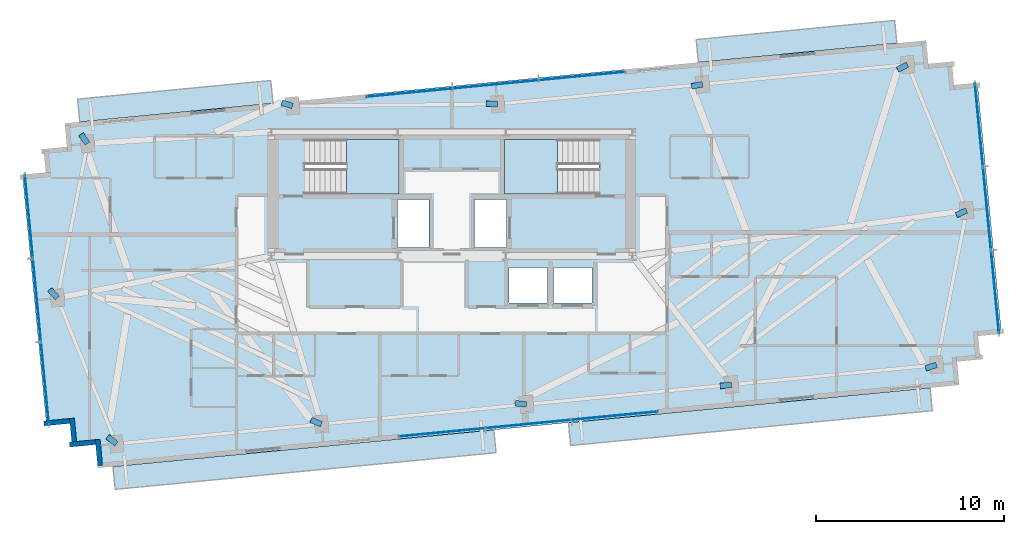
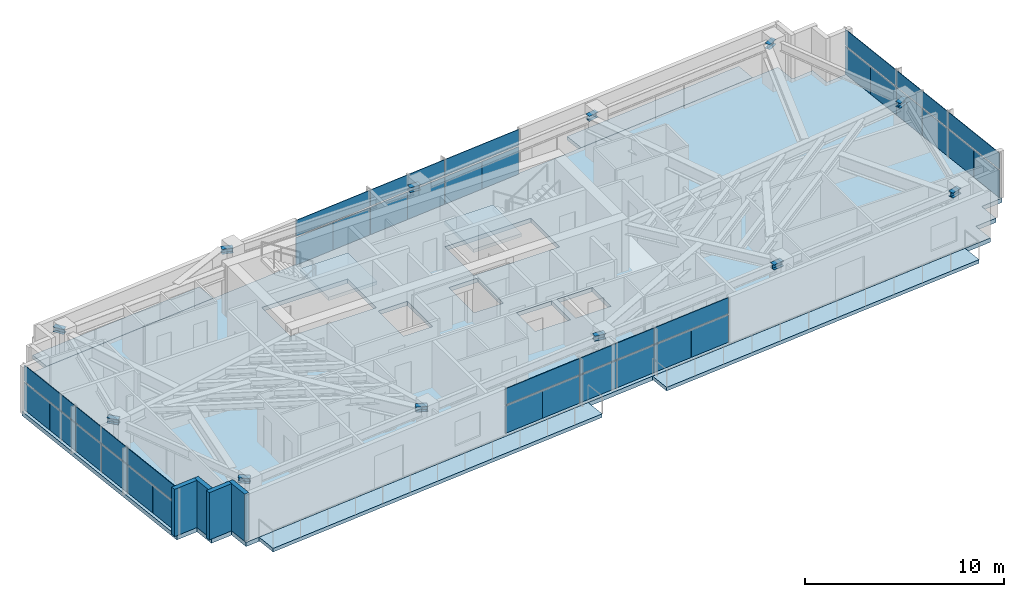
# One storey, part 12 of 18: 36 plates, 12 beams, 7 slabs, 4 walls, 6 elements without a shape of their own.
"""IFC4 building model written with IfcOpenShell, lengths in metres."""

from ifc_helpers import new_model, si_unit, direction, frame, frame_2d, origin, origin_2d, place, context, subcontext, project, spatial, polyline, rectangle, i_section, outline, extrude, source, transform, mapped, material, layer, layer_set, material_profile, profile_set, type_object, type_shapes, element, aggregate, save


model = new_model("IFC4")

# Units and contexts
model_context = context("Model", 3, precision=1e-05, world=origin(), true_north=direction((0.0, 1.0)))
body_context = subcontext(model_context, "Body", "Model", "MODEL_VIEW")
ifc_project = project(units=[si_unit("LENGTHUNIT", "METRE"), si_unit("AREAUNIT", "SQUARE_METRE"), si_unit("VOLUMEUNIT", "CUBIC_METRE"), si_unit("PLANEANGLEUNIT", "RADIAN"), si_unit("MASSUNIT", "GRAM", prefix="KILO")], contexts=[model_context])

# Site, building, storey
site_placement = place(None, origin())
site = spatial("IfcSite", under=ifc_project, at=site_placement, CompositionType="ELEMENT")
building_placement = place(site_placement, origin())
building = spatial("IfcBuilding", under=site, at=building_placement, Name="Astriad Promenade Condominiums", CompositionType="ELEMENT")
storey_placement = place(building_placement, frame((0.0, 0.0, 208.199951171875)))
storey = spatial("IfcBuildingStorey", under=building, at=storey_placement, Name="L60", CompositionType="ELEMENT", Elevation=208.199951171875)

# Beams
ifc_material_1 = material(Name="Steel ASTM A992 Grade 50", Category="steel")
ifc_material_profile = material_profile(ifc_material_1, i_section(OverallWidth=0.3046875, OverallDepth=0.307861328125, WebThickness=0.010009765625, FlangeThickness=0.015380859375, FilletRadius=0.01513671875, at=origin_2d()), Name="W12X65")
ifc_profile_set = profile_set([ifc_material_profile], Name="Steel ASTM A992 Grade 50")
beam_type = type_object("IfcBeamType", Name="STEEL TRANSFER SPLICE HEADER W12X65", PredefinedType="LINTEL", material=ifc_profile_set)
shared_shape_1 = source(origin(), body_context, "Body", "SweptSolid", [
    extrude(i_section(OverallWidth=0.3046875, OverallDepth=0.307861328125, WebThickness=0.010009765625, FlangeThickness=0.015380859375, FilletRadius=0.01513671875, at=origin_2d()), origin(), (0.0, 0.0, 1.0), 0.6015625),
])
for number, where, z_axis, x_axis, name in (
    (1, (50.868408203125, 10.56640625, 2.74609375), (-0.991744605978, -0.128228844308, 0.0), (0.128228844308, -0.991744605978, 0.0), "Column Transfer Splice Header SPL-PC04-L60"),
    (2, (61.767822265625, 11.615966796875, 2.74609375), (-0.954710817159, -0.297535301436, 0.0), (0.297535301436, -0.954710817159, 0.0), "Column Transfer Splice Header SPL-PC05-L60"),
    (3, (16.632080078125, 23.384033203125, 2.74609375), (-0.570707648261, 0.821153323209, 0.0), (-0.821153323209, -0.570707648261, 0.0), "Column Transfer Splice Header SPL-PC06-L60"),
    (4, (27.53173828125, 25.3798828125, 2.74609375), (-0.955091867929, 0.296309844279, 0.0), (-0.296309844279, -0.955091867929, 0.0), "Column Transfer Splice Header SPL-PC07-L60"),
    (5, (38.431396484375, 25.483154296875, 2.74609375), (-0.999142891868, 0.041394222165, 0.0), (-0.041394222165, -0.999142891868, 0.0), "Column Transfer Splice Header SPL-PC08-L60"),
    (6, (49.330810546875, 26.53271484375, 2.74609375), (-0.981870120298, -0.189554917809, 0.0), (0.189554917809, -0.981870120298, 0.0), "Column Transfer Splice Header SPL-PC09-L60"),
    (7, (15.03173828125, 15.1728515625, 2.74609375), (-0.665999638853, 0.745952063505, 0.0), (-0.745952063505, -0.665999638853, 0.0), "Column Transfer Splice Header SPL-PC11-L60"),
):
    element("IfcBeam", number, at=place(storey_placement, frame(where, z_axis=z_axis, x_axis=x_axis)), inside=storey, type_object=beam_type, Name=name, PredefinedType="LINTEL", context=body_context, shape_type="MappedRepresentation", body=[
        mapped(shared_shape_1, transform((0.0, 0.0, 0.0), scale=1.0)),
    ])
shared_shape_2 = source(origin(), body_context, "Body", "SweptSolid", [
    extrude(i_section(OverallWidth=0.3046875, OverallDepth=0.307861328125, WebThickness=0.010009765625, FlangeThickness=0.015380859375, FilletRadius=0.01513671875, at=origin_2d()), origin(), (0.0, 0.0, 1.0), 0.601806640625),
])
beam_placement = place(storey_placement, frame((39.96875, 9.516845703125, 2.74609375), z_axis=(-0.994924066394, 0.100628535263, 0.0), x_axis=(-0.100628535263, -0.994924066394, 0.0)))
element("IfcBeam", 8, at=beam_placement, inside=storey, type_object=beam_type, Name="Column Transfer Splice Header SPL-PC03-L60", PredefinedType="LINTEL", context=body_context, shape_type="MappedRepresentation", body=[
    mapped(shared_shape_2, transform((0.0, 0.0, 0.0), scale=1.0)),
])
shared_shape_3 = source(origin(), body_context, "Body", "SweptSolid", [
    extrude(i_section(OverallWidth=0.3046875, OverallDepth=0.307861328125, WebThickness=0.010009765625, FlangeThickness=0.015380859375, FilletRadius=0.01513671875, at=origin_2d()), origin(), (0.0, 0.0, 1.0), 0.601318359375),
])
type_shapes(beam_type, [shared_shape_1, shared_shape_2, shared_shape_3])
for number, where, z_axis, x_axis, name in (
    (9, (18.16943359375, 7.41796875, 2.74609375), (-0.777131393616, 0.62933838041, 0.0), (-0.62933838041, -0.777131393616, 0.0), "Column Transfer Splice Header SPL-PC01-L60"),
    (10, (29.069091796875, 8.46728515625, 2.74609375), (-0.927971914445, 0.372650138872, 0.0), (-0.372650138872, -0.927971914445, 0.0), "Column Transfer Splice Header SPL-PC02-L60"),
    (11, (60.23046875, 27.58203125, 2.74609375), (-0.884979856246, -0.465629309686, 0.0), (0.465629309686, -0.884979856246, 0.0), "Column Transfer Splice Header SPL-PC10-L60"),
    (12, (63.3681640625, 19.8271484375, 2.74609375), (-0.910977205265, -0.412456702562, 0.0), (0.412456702562, -0.910977205265, 0.0), "Column Transfer Splice Header SPL-PC12-L60"),
):
    element("IfcBeam", number, at=place(storey_placement, frame(where, z_axis=z_axis, x_axis=x_axis)), inside=storey, type_object=beam_type, Name=name, PredefinedType="LINTEL", context=body_context, shape_type="MappedRepresentation", body=[
        mapped(shared_shape_3, transform((0.0, 0.0, 0.0), scale=1.0)),
    ])

# Slab
ifc_material_2 = material(Name="Concrete C50/60", Category="concrete")
ifc_layer_1 = layer(ifc_material_2, 0.260009765625)
ifc_layer_set_1 = layer_set([ifc_layer_1], Name="Concrete C50/60")
slab_type_1 = type_object("IfcSlabType", Name="CONCRETE TOWER FLOOR SLAB 260", PredefinedType="FLOOR", material=ifc_layer_set_1)
slab_1_placement = place(storey_placement, frame((0.0, 0.0, -0.260009765625)))
element("IfcSlab", 13, at=slab_1_placement, inside=storey, type_object=slab_type_1, Name="Structural Floor Slab (L60)", PredefinedType="FLOOR", context=body_context, shape_type="SweptSolid", body=[
    extrude(outline(polyline([(17.187744140625, 6.137939453125), (62.975830078125, 10.546875), (62.856201171875, 11.791015625), (64.100341796875, 11.910888671875), (63.98046875, 13.155029296875), (65.224853515625, 13.27490234375), (63.9404296875, 26.61328125), (62.6962890625, 26.493408203125), (62.576416015625, 27.73779296875), (61.33203125, 27.617919921875), (61.21240234375, 28.862060546875), (15.424072265625, 24.453125), (15.5439453125, 23.208984375), (14.2998046875, 23.089111328125), (14.41943359375, 21.844970703125), (13.17529296875, 21.72509765625), (14.459716796875, 8.38671875), (15.703857421875, 8.506591796875), (15.823486328125, 7.26220703125), (17.06787109375, 7.382080078125), (17.187744140625, 6.137939453125)]), holes=[polyline([(28.175048828125, 20.699951171875), (33.175048828125, 20.699951171875), (33.175048828125, 23.60009765625), (28.175048828125, 23.60009765625), (28.175048828125, 20.699951171875)]), polyline([(38.824951171875, 20.699951171875), (43.824951171875, 20.699951171875), (43.824951171875, 23.60009765625), (38.824951171875, 23.60009765625), (38.824951171875, 20.699951171875)]), polyline([(33.10009765625, 17.85009765625), (34.800048828125, 17.85009765625), (34.800048828125, 20.39990234375), (33.10009765625, 20.39990234375), (33.10009765625, 17.85009765625)]), polyline([(37.199951171875, 17.85009765625), (38.89990234375, 17.85009765625), (38.89990234375, 20.39990234375), (37.199951171875, 20.39990234375), (37.199951171875, 17.85009765625)]), polyline([(39.050048828125, 14.89990234375), (41.10009765625, 14.89990234375), (41.10009765625, 16.800048828125), (39.050048828125, 16.800048828125), (39.050048828125, 14.89990234375)]), polyline([(41.39990234375, 14.89990234375), (43.449951171875, 14.89990234375), (43.449951171875, 16.800048828125), (41.39990234375, 16.800048828125), (41.39990234375, 14.89990234375)])]), origin(), (0.0, 0.0, 1.0), 0.260009765625),
])

# Stair, slab
stair_type = type_object("IfcStairType", Name="STR-CORE-1350", PredefinedType="HALF_TURN_STAIR", material=ifc_material_2)
stair_1_placement = place(storey_placement, origin())
stair_1 = element("IfcStair", 14, at=stair_1_placement, inside=storey, type_object=stair_type, Name="L60 Enclosed Core Exit Stair ST-1", PredefinedType="HALF_TURN_STAIR")
ifc_layer_2 = layer(ifc_material_2, 0.219970703125)
ifc_layer_set_2 = layer_set([ifc_layer_2], Name="Concrete C50/60")
slab_type_2 = type_object("IfcSlabType", Name="SLB-LANDING-220", PredefinedType="LANDING", material=ifc_layer_set_2)
slab_2_placement = place(storey_placement, frame((0.0, 0.0, 1.400146484375)))
slab_2 = element("IfcSlab", 15, at=slab_2_placement, type_object=slab_type_2, Name="ST-1 landing 1", PredefinedType="LANDING", context=body_context, shape_type="SweptSolid", body=[
    extrude(outline(polyline([(30.389892578125, 20.699951171875), (33.199951171875, 20.699951171875), (33.199951171875, 23.60009765625), (30.389892578125, 23.60009765625), (30.389892578125, 20.699951171875)])), origin(), (0.0, 0.0, 1.0), 0.199951171875),
])
aggregate(stair_1, [slab_2])

stair_2_placement = place(storey_placement, origin())
stair_2 = element("IfcStair", 16, at=stair_2_placement, inside=storey, type_object=stair_type, Name="L60 Enclosed Core Exit Stair ST-2", PredefinedType="HALF_TURN_STAIR")
slab_3_placement = place(storey_placement, frame((0.0, 0.0, 1.400146484375)))
slab_3 = element("IfcSlab", 17, at=slab_3_placement, type_object=slab_type_2, Name="ST-2 landing 1", PredefinedType="LANDING", context=body_context, shape_type="SweptSolid", body=[
    extrude(outline(polyline([(41.610107421875, 23.60009765625), (38.800048828125, 23.60009765625), (38.800048828125, 20.699951171875), (41.610107421875, 20.699951171875), (41.610107421875, 23.60009765625)])), origin(), (0.0, 0.0, 1.0), 0.199951171875),
])
aggregate(stair_2, [slab_3])

# Slabs
ifc_material_3 = material(Name="Precast concrete C50/60", Category="concrete")
ifc_layer_3 = layer(ifc_material_3, 0.219970703125)
ifc_layer_set_3 = layer_set([ifc_layer_3], Name="Precast concrete C50/60")
slab_type_3 = type_object("IfcSlabType", Name="WHITE PRECAST CONCRETE WAVE BALCONY SLAB 220", PredefinedType="FLOOR", material=ifc_layer_set_3)
slab_4_placement = place(storey_placement, frame((0.0, 0.0, -0.219970703125)))
element("IfcSlab", 18, at=slab_4_placement, inside=storey, type_object=slab_type_3, Name="White Precast Wave Balcony Slab BAL-L60-SW", PredefinedType="FLOOR", context=body_context, shape_type="SweptSolid", body=[
    extrude(outline(polyline([(38.351318359375, 6.9501953125), (18.10400390625, 5.00048828125), (17.9873046875, 6.212890625), (38.234619140625, 8.16259765625), (38.351318359375, 6.9501953125)])), origin(), (0.0, 0.0, 1.0), 0.219970703125),
])
slab_5_placement = place(storey_placement, frame((0.0, 0.0, -0.219970703125)))
element("IfcSlab", 19, at=slab_5_placement, inside=storey, type_object=slab_type_3, Name="White Precast Wave Balcony Slab BAL-L60-SE", PredefinedType="FLOOR", context=body_context, shape_type="SweptSolid", body=[
    extrude(outline(polyline([(61.5400390625, 9.182861328125), (42.31689453125, 7.331787109375), (42.2001953125, 8.544189453125), (61.42333984375, 10.395263671875), (61.5400390625, 9.182861328125)])), origin(), (0.0, 0.0, 1.0), 0.219970703125),
])
slab_6_placement = place(storey_placement, frame((0.0, 0.0, -0.219970703125)))
element("IfcSlab", 20, at=slab_6_placement, inside=storey, type_object=slab_type_3, Name="White Precast Wave Balcony Slab BAL-L60-NW", PredefinedType="FLOOR", context=body_context, shape_type="SweptSolid", body=[
    extrude(outline(polyline([(16.1064453125, 25.744384765625), (26.3759765625, 26.7333984375), (26.49267578125, 25.52099609375), (16.22314453125, 24.5322265625), (16.1064453125, 25.744384765625)])), origin(), (0.0, 0.0, 1.0), 0.219970703125),
])
slab_7_placement = place(storey_placement, frame((0.0, 0.0, -0.219970703125)))
element("IfcSlab", 21, at=slab_7_placement, inside=storey, type_object=slab_type_3, Name="White Precast Wave Balcony Slab BAL-L60-NE", PredefinedType="FLOOR", context=body_context, shape_type="SweptSolid", body=[
    extrude(outline(polyline([(48.991455078125, 28.910888671875), (59.54248046875, 29.927001953125), (59.6591796875, 28.714599609375), (49.108154296875, 27.698486328125), (48.991455078125, 28.910888671875)])), origin(), (0.0, 0.0, 1.0), 0.219970703125),
])

# Curtain wall, plates
ifc_material_4 = material(Name="Anodised aluminium Black Dark Glass Unitised", Category="aluminium")
curtain_wall_type = type_object("IfcCurtainWallType", Name="CW-B34-DARK", PredefinedType="USERDEFINED", material=ifc_material_4)
curtain_wall_1_placement = place(storey_placement, origin())
curtain_wall_1 = element("IfcCurtainWall", 22, at=curtain_wall_1_placement, inside=storey, type_object=curtain_wall_type, Name="CW-L60-W", ObjectType="UNITISED_CURTAIN_WALL", PredefinedType="USERDEFINED")
ifc_material_5 = material(Name="Dark Tinted Low-E Laminated Glass", Category="glass")
ifc_layer_4 = layer(ifc_material_5, 0.035888671875)
ifc_layer_set_4 = layer_set([ifc_layer_4], Name="Dark Tinted Low-E Laminated Glass")
plate_type = type_object("IfcPlateType", Name="PNL-DARK-GLASS-36", PredefinedType="CURTAIN_PANEL", material=ifc_layer_set_4)
shared_shape_4 = source(origin(), body_context, "Body", "SweptSolid", [
    extrude(rectangle(XDim=2.22119140625, YDim=0.035888671875, at=origin_2d()), origin(), (0.0, 0.0, 1.0), 1.677978515625),
])
plate_1_placement = place(storey_placement, frame((14.48193359375, 9.5107421875, 0.080078125), z_axis=(0.0, 0.0, 1.0), x_axis=(-0.09584575252, 0.995396198367, 0.0)))
plate_1 = element("IfcPlate", 23, at=plate_1_placement, type_object=plate_type, Name="CW-L60-W-PNL-00-VL", PredefinedType="CURTAIN_PANEL", context=body_context, shape_type="MappedRepresentation", body=[
    mapped(shared_shape_4, transform((0.0, 0.0, 0.0), scale=1.0)),
])
plate_2_placement = place(storey_placement, frame((14.267822265625, 11.73388671875, 0.080078125), z_axis=(0.0, 0.0, 1.0), x_axis=(-0.09584575252, 0.995396198367, 0.0)))
plate_2 = element("IfcPlate", 24, at=plate_2_placement, type_object=plate_type, Name="CW-L60-W-PNL-00-VR", PredefinedType="CURTAIN_PANEL", context=body_context, shape_type="MappedRepresentation", body=[
    mapped(shared_shape_4, transform((0.0, 0.0, 0.0), scale=1.0)),
])
plate_3_placement = place(storey_placement, frame((14.053955078125, 13.956787109375, 0.080078125), z_axis=(0.0, 0.0, 1.0), x_axis=(-0.09584575252, 0.995396198367, 0.0)))
plate_3 = element("IfcPlate", 25, at=plate_3_placement, type_object=plate_type, Name="CW-L60-W-PNL-01-VL", PredefinedType="CURTAIN_PANEL", context=body_context, shape_type="MappedRepresentation", body=[
    mapped(shared_shape_4, transform((0.0, 0.0, 0.0), scale=1.0)),
])
plate_4_placement = place(storey_placement, frame((13.839599609375, 16.179931640625, 0.080078125), z_axis=(0.0, 0.0, 1.0), x_axis=(-0.09584575252, 0.995396198367, 0.0)))
plate_4 = element("IfcPlate", 26, at=plate_4_placement, type_object=plate_type, Name="CW-L60-W-PNL-01-VR", PredefinedType="CURTAIN_PANEL", context=body_context, shape_type="MappedRepresentation", body=[
    mapped(shared_shape_4, transform((0.0, 0.0, 0.0), scale=1.0)),
])
plate_5_placement = place(storey_placement, frame((13.625732421875, 18.403076171875, 0.080078125), z_axis=(0.0, 0.0, 1.0), x_axis=(-0.09584575252, 0.995396198367, 0.0)))
plate_5 = element("IfcPlate", 27, at=plate_5_placement, type_object=plate_type, Name="CW-L60-W-PNL-02-VL", PredefinedType="CURTAIN_PANEL", context=body_context, shape_type="MappedRepresentation", body=[
    mapped(shared_shape_4, transform((0.0, 0.0, 0.0), scale=1.0)),
])
plate_6_placement = place(storey_placement, frame((13.41162109375, 20.626220703125, 0.080078125), z_axis=(0.0, 0.0, 1.0), x_axis=(-0.09584575252, 0.995396198367, 0.0)))
plate_6 = element("IfcPlate", 28, at=plate_6_placement, type_object=plate_type, Name="CW-L60-W-PNL-02-VR", PredefinedType="CURTAIN_PANEL", context=body_context, shape_type="MappedRepresentation", body=[
    mapped(shared_shape_4, transform((0.0, 0.0, 0.0), scale=1.0)),
])

curtain_wall_2_placement = place(storey_placement, origin())
curtain_wall_2 = element("IfcCurtainWall", 29, at=curtain_wall_2_placement, inside=storey, type_object=curtain_wall_type, Name="CW-L60-E", ObjectType="UNITISED_CURTAIN_WALL", PredefinedType="USERDEFINED")
plate_7_placement = place(storey_placement, frame((63.91796875, 25.4892578125, 0.080078125), z_axis=(0.0, 0.0, 1.0), x_axis=(0.09584575252, -0.995396198367, 0.0)))
plate_7 = element("IfcPlate", 30, at=plate_7_placement, type_object=plate_type, Name="CW-L60-E-PNL-00-VL", PredefinedType="CURTAIN_PANEL", context=body_context, shape_type="MappedRepresentation", body=[
    mapped(shared_shape_4, transform((0.0, 0.0, 0.0), scale=1.0)),
])
plate_8_placement = place(storey_placement, frame((64.132080078125, 23.26611328125, 0.080078125), z_axis=(0.0, 0.0, 1.0), x_axis=(0.09584575252, -0.995396198367, 0.0)))
plate_8 = element("IfcPlate", 31, at=plate_8_placement, type_object=plate_type, Name="CW-L60-E-PNL-00-VR", PredefinedType="CURTAIN_PANEL", context=body_context, shape_type="MappedRepresentation", body=[
    mapped(shared_shape_4, transform((0.0, 0.0, 0.0), scale=1.0)),
])
plate_9_placement = place(storey_placement, frame((64.34619140625, 21.043212890625, 0.080078125), z_axis=(0.0, 0.0, 1.0), x_axis=(0.09584575252, -0.995396198367, 0.0)))
plate_9 = element("IfcPlate", 32, at=plate_9_placement, type_object=plate_type, Name="CW-L60-E-PNL-01-VL", PredefinedType="CURTAIN_PANEL", context=body_context, shape_type="MappedRepresentation", body=[
    mapped(shared_shape_4, transform((0.0, 0.0, 0.0), scale=1.0)),
])
plate_10_placement = place(storey_placement, frame((64.560302734375, 18.820068359375, 0.080078125), z_axis=(0.0, 0.0, 1.0), x_axis=(0.09584575252, -0.995396198367, 0.0)))
plate_10 = element("IfcPlate", 33, at=plate_10_placement, type_object=plate_type, Name="CW-L60-E-PNL-01-VR", PredefinedType="CURTAIN_PANEL", context=body_context, shape_type="MappedRepresentation", body=[
    mapped(shared_shape_4, transform((0.0, 0.0, 0.0), scale=1.0)),
])
plate_11_placement = place(storey_placement, frame((64.7744140625, 16.596923828125, 0.080078125), z_axis=(0.0, 0.0, 1.0), x_axis=(0.09584575252, -0.995396198367, 0.0)))
plate_11 = element("IfcPlate", 34, at=plate_11_placement, type_object=plate_type, Name="CW-L60-E-PNL-02-VL", PredefinedType="CURTAIN_PANEL", context=body_context, shape_type="MappedRepresentation", body=[
    mapped(shared_shape_4, transform((0.0, 0.0, 0.0), scale=1.0)),
])
plate_12_placement = place(storey_placement, frame((64.98828125, 14.373779296875, 0.080078125), z_axis=(0.0, 0.0, 1.0), x_axis=(0.09584575252, -0.995396198367, 0.0)))
plate_12 = element("IfcPlate", 35, at=plate_12_placement, type_object=plate_type, Name="CW-L60-E-PNL-02-VR", PredefinedType="CURTAIN_PANEL", context=body_context, shape_type="MappedRepresentation", body=[
    mapped(shared_shape_4, transform((0.0, 0.0, 0.0), scale=1.0)),
])

# Plate
shared_shape_5 = source(origin(), body_context, "Body", "SweptSolid", [
    extrude(rectangle(XDim=4.45458984375, YDim=0.035888671875, at=origin_2d()), origin(), (0.0, 0.0, 1.0), 0.98193359375),
])
plate_13_placement = place(storey_placement, frame((14.375, 10.622314453125, 1.838134765625), z_axis=(0.0, 0.0, 1.0), x_axis=(-0.09584575252, 0.995396198367, 0.0)))
plate_13 = element("IfcPlate", 36, at=plate_13_placement, type_object=plate_type, Name="CW-L60-W-PNL-00-S", PredefinedType="CURTAIN_PANEL", context=body_context, shape_type="MappedRepresentation", body=[
    mapped(shared_shape_5, transform((0.0, 0.0, 0.0), scale=1.0)),
])

plate_14_placement = place(storey_placement, frame((13.94677734375, 15.068359375, 1.838134765625), z_axis=(0.0, 0.0, 1.0), x_axis=(-0.09584575252, 0.995396198367, 0.0)))
plate_14 = element("IfcPlate", 37, at=plate_14_placement, type_object=plate_type, Name="CW-L60-W-PNL-01-S", PredefinedType="CURTAIN_PANEL", context=body_context, shape_type="MappedRepresentation", body=[
    mapped(shared_shape_5, transform((0.0, 0.0, 0.0), scale=1.0)),
])

plate_15_placement = place(storey_placement, frame((13.518798828125, 19.514404296875, 1.838134765625), z_axis=(0.0, 0.0, 1.0), x_axis=(-0.09584575252, 0.995396198367, 0.0)))
plate_15 = element("IfcPlate", 38, at=plate_15_placement, type_object=plate_type, Name="CW-L60-W-PNL-02-S", PredefinedType="CURTAIN_PANEL", context=body_context, shape_type="MappedRepresentation", body=[
    mapped(shared_shape_5, transform((0.0, 0.0, 0.0), scale=1.0)),
])

aggregate(curtain_wall_1, [plate_1, plate_2, plate_13, plate_3, plate_4, plate_14, plate_5, plate_6, plate_15])

plate_16_placement = place(storey_placement, frame((64.02490234375, 24.377685546875, 1.838134765625), z_axis=(0.0, 0.0, 1.0), x_axis=(0.09584575252, -0.995396198367, 0.0)))
plate_16 = element("IfcPlate", 39, at=plate_16_placement, type_object=plate_type, Name="CW-L60-E-PNL-00-S", PredefinedType="CURTAIN_PANEL", context=body_context, shape_type="MappedRepresentation", body=[
    mapped(shared_shape_5, transform((0.0, 0.0, 0.0), scale=1.0)),
])

plate_17_placement = place(storey_placement, frame((64.453125, 19.931640625, 1.838134765625), z_axis=(0.0, 0.0, 1.0), x_axis=(0.09584575252, -0.995396198367, 0.0)))
plate_17 = element("IfcPlate", 40, at=plate_17_placement, type_object=plate_type, Name="CW-L60-E-PNL-01-S", PredefinedType="CURTAIN_PANEL", context=body_context, shape_type="MappedRepresentation", body=[
    mapped(shared_shape_5, transform((0.0, 0.0, 0.0), scale=1.0)),
])

plate_18_placement = place(storey_placement, frame((64.88134765625, 15.485595703125, 1.838134765625), z_axis=(0.0, 0.0, 1.0), x_axis=(0.09584575252, -0.995396198367, 0.0)))
plate_18 = element("IfcPlate", 41, at=plate_18_placement, type_object=plate_type, Name="CW-L60-E-PNL-02-S", PredefinedType="CURTAIN_PANEL", context=body_context, shape_type="MappedRepresentation", body=[
    mapped(shared_shape_5, transform((0.0, 0.0, 0.0), scale=1.0)),
])

aggregate(curtain_wall_2, [plate_7, plate_8, plate_16, plate_9, plate_10, plate_17, plate_11, plate_12, plate_18])

# Curtain wall, plates
curtain_wall_3_placement = place(storey_placement, origin())
curtain_wall_3 = element("IfcCurtainWall", 42, at=curtain_wall_3_placement, inside=storey, type_object=curtain_wall_type, Name="CW-L60-N", ObjectType="UNITISED_CURTAIN_WALL", PredefinedType="USERDEFINED")
shared_shape_6 = source(origin(), body_context, "Body", "SweptSolid", [
    extrude(rectangle(XDim=2.2880859375, YDim=0.035888671875, at=origin_2d()), origin(), (0.0, 0.0, 1.0), 1.677978515625),
])
plate_19_placement = place(storey_placement, frame((32.607177734375, 25.97705078125, 0.080078125), z_axis=(0.0, 0.0, 1.0), x_axis=(0.995396198367, 0.09584575252, 0.0)))
plate_19 = element("IfcPlate", 43, at=plate_19_placement, type_object=plate_type, Name="CW-L60-N-PNL-00-VL", PredefinedType="CURTAIN_PANEL", context=body_context, shape_type="MappedRepresentation", body=[
    mapped(shared_shape_6, transform((0.0, 0.0, 0.0), scale=1.0)),
])
plate_20_placement = place(storey_placement, frame((34.896484375, 26.197509765625, 0.080078125), z_axis=(0.0, 0.0, 1.0), x_axis=(0.995396198367, 0.09584575252, 0.0)))
plate_20 = element("IfcPlate", 44, at=plate_20_placement, type_object=plate_type, Name="CW-L60-N-PNL-00-VR", PredefinedType="CURTAIN_PANEL", context=body_context, shape_type="MappedRepresentation", body=[
    mapped(shared_shape_6, transform((0.0, 0.0, 0.0), scale=1.0)),
])
plate_21_placement = place(storey_placement, frame((37.18603515625, 26.41796875, 0.080078125), z_axis=(0.0, 0.0, 1.0), x_axis=(0.995396198367, 0.09584575252, 0.0)))
plate_21 = element("IfcPlate", 45, at=plate_21_placement, type_object=plate_type, Name="CW-L60-N-PNL-01-VL", PredefinedType="CURTAIN_PANEL", context=body_context, shape_type="MappedRepresentation", body=[
    mapped(shared_shape_6, transform((0.0, 0.0, 0.0), scale=1.0)),
])
plate_22_placement = place(storey_placement, frame((39.475341796875, 26.638427734375, 0.080078125), z_axis=(0.0, 0.0, 1.0), x_axis=(0.995396198367, 0.09584575252, 0.0)))
plate_22 = element("IfcPlate", 46, at=plate_22_placement, type_object=plate_type, Name="CW-L60-N-PNL-01-VR", PredefinedType="CURTAIN_PANEL", context=body_context, shape_type="MappedRepresentation", body=[
    mapped(shared_shape_6, transform((0.0, 0.0, 0.0), scale=1.0)),
])
plate_23_placement = place(storey_placement, frame((41.764892578125, 26.85888671875, 0.080078125), z_axis=(0.0, 0.0, 1.0), x_axis=(0.995396198367, 0.09584575252, 0.0)))
plate_23 = element("IfcPlate", 47, at=plate_23_placement, type_object=plate_type, Name="CW-L60-N-PNL-02-VL", PredefinedType="CURTAIN_PANEL", context=body_context, shape_type="MappedRepresentation", body=[
    mapped(shared_shape_6, transform((0.0, 0.0, 0.0), scale=1.0)),
])
plate_24_placement = place(storey_placement, frame((44.05419921875, 27.079345703125, 0.080078125), z_axis=(0.0, 0.0, 1.0), x_axis=(0.995396198367, 0.09584575252, 0.0)))
plate_24 = element("IfcPlate", 48, at=plate_24_placement, type_object=plate_type, Name="CW-L60-N-PNL-02-VR", PredefinedType="CURTAIN_PANEL", context=body_context, shape_type="MappedRepresentation", body=[
    mapped(shared_shape_6, transform((0.0, 0.0, 0.0), scale=1.0)),
])

curtain_wall_4_placement = place(storey_placement, origin())
curtain_wall_4 = element("IfcCurtainWall", 49, at=curtain_wall_4_placement, inside=storey, type_object=curtain_wall_type, Name="CW-L60-S", ObjectType="UNITISED_CURTAIN_WALL", PredefinedType="USERDEFINED")
plate_25_placement = place(storey_placement, frame((45.792724609375, 9.02294921875, 0.080078125), z_axis=(0.0, 0.0, 1.0), x_axis=(-0.995396198367, -0.09584575252, 0.0)))
plate_25 = element("IfcPlate", 50, at=plate_25_placement, type_object=plate_type, Name="CW-L60-S-PNL-00-VL", PredefinedType="CURTAIN_PANEL", context=body_context, shape_type="MappedRepresentation", body=[
    mapped(shared_shape_6, transform((0.0, 0.0, 0.0), scale=1.0)),
])
plate_26_placement = place(storey_placement, frame((43.50341796875, 8.802490234375, 0.080078125), z_axis=(0.0, 0.0, 1.0), x_axis=(-0.995396198367, -0.09584575252, 0.0)))
plate_26 = element("IfcPlate", 51, at=plate_26_placement, type_object=plate_type, Name="CW-L60-S-PNL-00-VR", PredefinedType="CURTAIN_PANEL", context=body_context, shape_type="MappedRepresentation", body=[
    mapped(shared_shape_6, transform((0.0, 0.0, 0.0), scale=1.0)),
])
plate_27_placement = place(storey_placement, frame((41.214111328125, 8.58203125, 0.080078125), z_axis=(0.0, 0.0, 1.0), x_axis=(-0.995396198367, -0.09584575252, 0.0)))
plate_27 = element("IfcPlate", 52, at=plate_27_placement, type_object=plate_type, Name="CW-L60-S-PNL-01-VL", PredefinedType="CURTAIN_PANEL", context=body_context, shape_type="MappedRepresentation", body=[
    mapped(shared_shape_6, transform((0.0, 0.0, 0.0), scale=1.0)),
])
plate_28_placement = place(storey_placement, frame((38.924560546875, 8.361572265625, 0.080078125), z_axis=(0.0, 0.0, 1.0), x_axis=(-0.995396198367, -0.09584575252, 0.0)))
plate_28 = element("IfcPlate", 53, at=plate_28_placement, type_object=plate_type, Name="CW-L60-S-PNL-01-VR", PredefinedType="CURTAIN_PANEL", context=body_context, shape_type="MappedRepresentation", body=[
    mapped(shared_shape_6, transform((0.0, 0.0, 0.0), scale=1.0)),
])
plate_29_placement = place(storey_placement, frame((36.63525390625, 8.14111328125, 0.080078125), z_axis=(0.0, 0.0, 1.0), x_axis=(-0.995396198367, -0.09584575252, 0.0)))
plate_29 = element("IfcPlate", 54, at=plate_29_placement, type_object=plate_type, Name="CW-L60-S-PNL-02-VL", PredefinedType="CURTAIN_PANEL", context=body_context, shape_type="MappedRepresentation", body=[
    mapped(shared_shape_6, transform((0.0, 0.0, 0.0), scale=1.0)),
])
plate_30_placement = place(storey_placement, frame((34.345703125, 7.920654296875, 0.080078125), z_axis=(0.0, 0.0, 1.0), x_axis=(-0.995396198367, -0.09584575252, 0.0)))
plate_30 = element("IfcPlate", 55, at=plate_30_placement, type_object=plate_type, Name="CW-L60-S-PNL-02-VR", PredefinedType="CURTAIN_PANEL", context=body_context, shape_type="MappedRepresentation", body=[
    mapped(shared_shape_6, transform((0.0, 0.0, 0.0), scale=1.0)),
])

# Plate
shared_shape_7 = source(origin(), body_context, "Body", "SweptSolid", [
    extrude(rectangle(XDim=4.587890625, YDim=0.035888671875, at=origin_2d()), origin(), (0.0, 0.0, 1.0), 0.98193359375),
])
type_shapes(plate_type, [shared_shape_4, shared_shape_5, shared_shape_6, shared_shape_7])
plate_31_placement = place(storey_placement, frame((33.751953125, 26.08740234375, 1.838134765625), z_axis=(0.0, 0.0, 1.0), x_axis=(0.995396198367, 0.09584575252, 0.0)))
plate_31 = element("IfcPlate", 56, at=plate_31_placement, type_object=plate_type, Name="CW-L60-N-PNL-00-S", PredefinedType="CURTAIN_PANEL", context=body_context, shape_type="MappedRepresentation", body=[
    mapped(shared_shape_7, transform((0.0, 0.0, 0.0), scale=1.0)),
])

plate_32_placement = place(storey_placement, frame((38.330810546875, 26.5283203125, 1.838134765625), z_axis=(0.0, 0.0, 1.0), x_axis=(0.995396198367, 0.09584575252, 0.0)))
plate_32 = element("IfcPlate", 57, at=plate_32_placement, type_object=plate_type, Name="CW-L60-N-PNL-01-S", PredefinedType="CURTAIN_PANEL", context=body_context, shape_type="MappedRepresentation", body=[
    mapped(shared_shape_7, transform((0.0, 0.0, 0.0), scale=1.0)),
])

plate_33_placement = place(storey_placement, frame((42.909423828125, 26.968994140625, 1.838134765625), z_axis=(0.0, 0.0, 1.0), x_axis=(0.995396198367, 0.09584575252, 0.0)))
plate_33 = element("IfcPlate", 58, at=plate_33_placement, type_object=plate_type, Name="CW-L60-N-PNL-02-S", PredefinedType="CURTAIN_PANEL", context=body_context, shape_type="MappedRepresentation", body=[
    mapped(shared_shape_7, transform((0.0, 0.0, 0.0), scale=1.0)),
])

aggregate(curtain_wall_3, [plate_19, plate_20, plate_31, plate_21, plate_22, plate_32, plate_23, plate_24, plate_33])

plate_34_placement = place(storey_placement, frame((44.648193359375, 8.91259765625, 1.838134765625), z_axis=(0.0, 0.0, 1.0), x_axis=(-0.995396198367, -0.09584575252, 0.0)))
plate_34 = element("IfcPlate", 59, at=plate_34_placement, type_object=plate_type, Name="CW-L60-S-PNL-00-S", PredefinedType="CURTAIN_PANEL", context=body_context, shape_type="MappedRepresentation", body=[
    mapped(shared_shape_7, transform((0.0, 0.0, 0.0), scale=1.0)),
])

plate_35_placement = place(storey_placement, frame((40.0693359375, 8.4716796875, 1.838134765625), z_axis=(0.0, 0.0, 1.0), x_axis=(-0.995396198367, -0.09584575252, 0.0)))
plate_35 = element("IfcPlate", 60, at=plate_35_placement, type_object=plate_type, Name="CW-L60-S-PNL-01-S", PredefinedType="CURTAIN_PANEL", context=body_context, shape_type="MappedRepresentation", body=[
    mapped(shared_shape_7, transform((0.0, 0.0, 0.0), scale=1.0)),
])

plate_36_placement = place(storey_placement, frame((35.490478515625, 8.031005859375, 1.838134765625), z_axis=(0.0, 0.0, 1.0), x_axis=(-0.995396198367, -0.09584575252, 0.0)))
plate_36 = element("IfcPlate", 61, at=plate_36_placement, type_object=plate_type, Name="CW-L60-S-PNL-02-S", PredefinedType="CURTAIN_PANEL", context=body_context, shape_type="MappedRepresentation", body=[
    mapped(shared_shape_7, transform((0.0, 0.0, 0.0), scale=1.0)),
])

aggregate(curtain_wall_4, [plate_25, plate_26, plate_34, plate_27, plate_28, plate_35, plate_29, plate_30, plate_36])

# Walls
ifc_layer_5 = layer(ifc_material_3, 0.260009765625)
ifc_layer_set_5 = layer_set([ifc_layer_5], Name="Precast concrete C50/60")
wall_type = type_object("IfcWallType", Name="WALL-EXT-TWR-260", PredefinedType="STANDARD", material=ifc_layer_set_5)
wall_1_placement = place(storey_placement, frame((17.0703125, 7.512939453125, 0.0), z_axis=(0.0, 0.0, 1.0), x_axis=(-0.995391056452, -0.09589913835, 0.0)))
element("IfcWall", 62, at=wall_1_placement, inside=storey, type_object=wall_type, Name="W-SER-L60-00", PredefinedType="STANDARD", context=body_context, shape_type="SweptSolid", body=[
    extrude(rectangle(XDim=1.39501953125, YDim=0.260009765625, at=frame_2d((0.697509765625, 0.0))), origin(), (0.0, 0.0, 1.0), 2.900146484375),
])
wall_2_placement = place(storey_placement, frame((15.94189453125, 7.389404296875, 0.0), z_axis=(0.0, 0.0, 1.0), x_axis=(-0.095742423056, 0.99540614245, 0.0)))
element("IfcWall", 63, at=wall_2_placement, inside=storey, type_object=wall_type, Name="W-SER-L60-01", PredefinedType="STANDARD", context=body_context, shape_type="SweptSolid", body=[
    extrude(rectangle(XDim=1.394775390625, YDim=0.260009765625, at=frame_2d((0.697265625, 0.0))), origin(), (0.0, 0.0, 1.0), 2.900146484375),
])
wall_3_placement = place(storey_placement, frame((15.706298828125, 8.637451171875, 0.0), z_axis=(0.0, 0.0, 1.0), x_axis=(-0.995391056452, -0.09589913835, 0.0)))
element("IfcWall", 64, at=wall_3_placement, inside=storey, type_object=wall_type, Name="W-SER-L60-02", PredefinedType="STANDARD", context=body_context, shape_type="SweptSolid", body=[
    extrude(rectangle(XDim=1.39501953125, YDim=0.260009765625, at=frame_2d((0.697509765625, 0.0))), origin(), (0.0, 0.0, 1.0), 2.900146484375),
])
wall_4_placement = place(storey_placement, frame((17.30615234375, 6.264892578125, 0.0), z_axis=(0.0, 0.0, 1.0), x_axis=(-0.095915846097, 0.995389446633, 0.0)))
element("IfcWall", 65, at=wall_4_placement, inside=storey, type_object=wall_type, Name="W-SER-L60-19", PredefinedType="STANDARD", context=body_context, shape_type="SweptSolid", body=[
    extrude(rectangle(XDim=1.394775390625, YDim=0.260009765625, at=frame_2d((0.697265625, 0.0))), origin(), (0.0, 0.0, 1.0), 2.900146484375),
])

save(model, "model.ifc")
